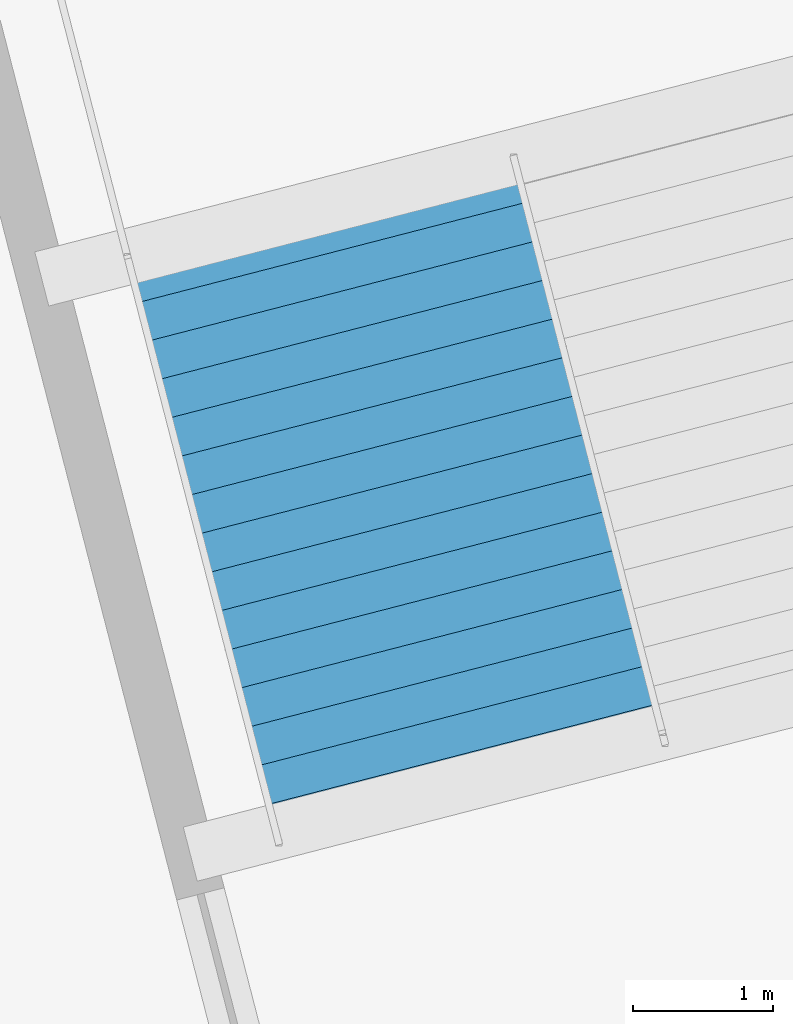
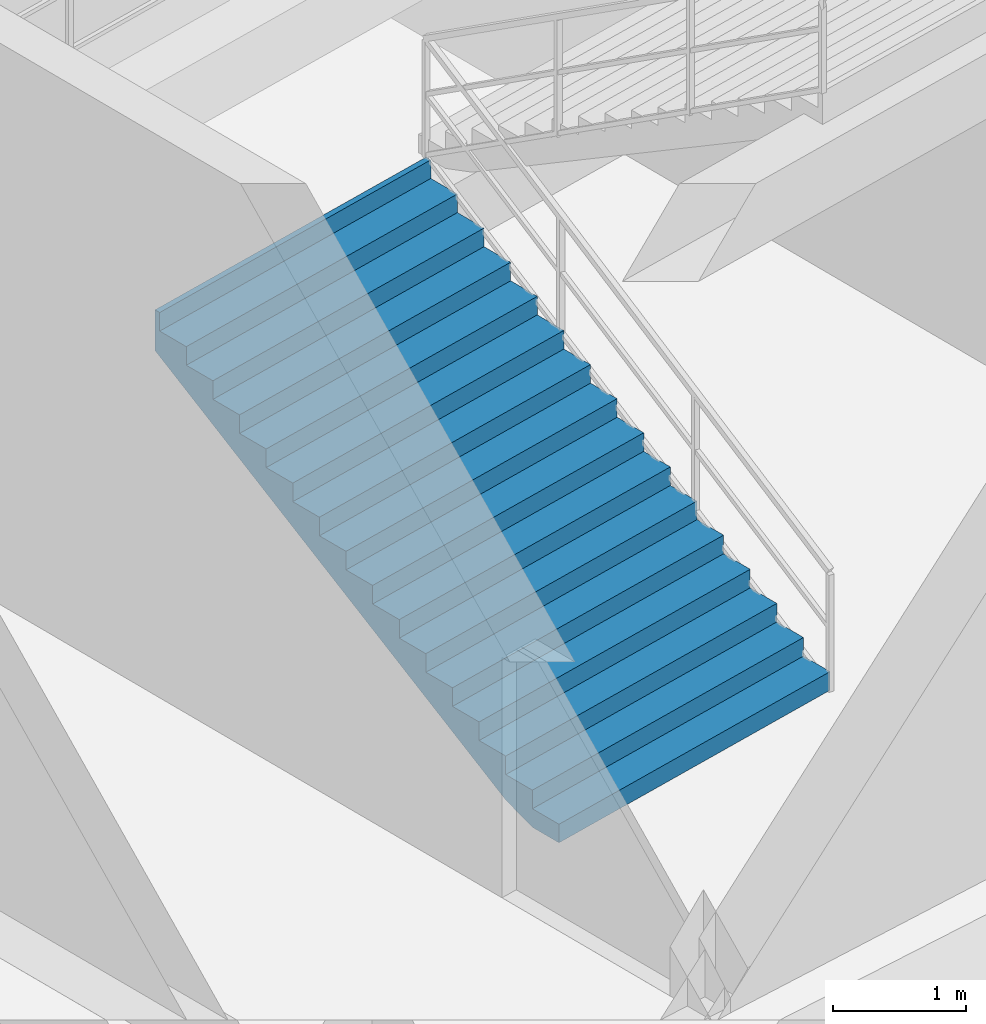
# One storey, part 31 of 49: 1 stair flight, 1 element without a shape of its own.
"""IFC4 building model written with IfcOpenShell, lengths in metres."""

import ifcopenshell
import ifcopenshell.guid

model = None  # the IFC model being written
_history = None  # IfcOwnerHistory: only IFC2X3 demands one
_inside = {}  # id of a spatial element -> (the spatial element, [elements in it])
_under = {}  # id of a project, library or spatial element -> (it, [spatial elements below it])
_declared = {}  # id of a project -> (the project, [libraries it declares])
_typed = {}  # id of a type object -> (the type object, [elements of that type])
_made_of = {}  # id of a material, layer set ... -> (it, [elements and type objects made of it])


def new_model(schema):
    """Start an empty IFC model of exactly this schema.

    Asked for "IFC4X3", IfcOpenShell would pick the latest addendum, in which some entities
    have other attributes; the version numbers below select the first issue.
    IFC2X3 requires an IfcOwnerHistory on every rooted entity: one is made here for all.
    """
    global model, _history
    if schema == "IFC4X3":
        model = ifcopenshell.file(schema_version=(4, 3, 0, 0))
    else:
        model = ifcopenshell.file(schema=schema)
    _inside.clear()
    _under.clear()
    _declared.clear()
    _typed.clear()
    _made_of.clear()
    _history = None
    if model.schema == "IFC2X3":
        org = make("IfcOrganization", Name="unknown")
        user = make(
            "IfcPersonAndOrganization",
            ThePerson=make("IfcPerson", FamilyName="unknown"),
            TheOrganization=org,
        )
        app = make(
            "IfcApplication",
            ApplicationDeveloper=org,
            Version="unknown",
            ApplicationFullName="unknown",
            ApplicationIdentifier="unknown",
        )
        _history = make(
            "IfcOwnerHistory",
            OwningUser=user,
            OwningApplication=app,
            ChangeAction="ADDED",
            CreationDate=0,
        )
    return model


def make(cls, **values):
    """One entity of the class cls with the attributes given. An attribute that is None is left unset."""
    return model.create_entity(
        cls, **{name: value for name, value in values.items() if value is not None}
    )


def rooted(cls, **values):
    """An entity with a GlobalId (a new one), such as an element, a storey or a relation."""
    return make(cls, GlobalId=ifcopenshell.guid.new(), OwnerHistory=_history, **values)


def si_unit(unit_type, name, prefix=None):
    """IfcSIUnit, for example si_unit("LENGTHUNIT", "METRE", prefix="MILLI")."""
    return make("IfcSIUnit", UnitType=unit_type, Prefix=prefix, Name=name)


def assignment(units):
    """IfcUnitAssignment: the units of a project."""
    return None if units is None else make("IfcUnitAssignment", Units=units)


def point(xyz):
    """IfcCartesianPoint."""
    return None if xyz is None else make("IfcCartesianPoint", Coordinates=xyz)


def direction(xyz):
    """IfcDirection."""
    return None if xyz is None else make("IfcDirection", DirectionRatios=xyz)


def frame(location, z_axis=None, x_axis=None):
    """IfcAxis2Placement3D, a coordinate frame: its origin and axes. An axis left out is left unset."""
    return make(
        "IfcAxis2Placement3D",
        Location=point(location),
        Axis=direction(z_axis),
        RefDirection=direction(x_axis),
    )


def origin():
    """The frame at (0, 0, 0) with its axes left unset."""
    return frame((0.0, 0.0, 0.0))


def place(relative_to, where):
    """IfcLocalPlacement: puts the frame where relative to a parent placement (None: the world)."""
    return make(
        "IfcLocalPlacement", PlacementRelTo=relative_to, RelativePlacement=where
    )


def context(
    kind, dimensions, precision=None, world=None, true_north=None, identifier=None
):
    """IfcGeometricRepresentationContext, for example the 3D "Model" context."""
    return make(
        "IfcGeometricRepresentationContext",
        ContextIdentifier=identifier,
        ContextType=kind,
        CoordinateSpaceDimension=dimensions,
        Precision=precision,
        WorldCoordinateSystem=world,
        TrueNorth=true_north,
    )


def subcontext(parent, identifier, kind, view, scale=None):
    """IfcGeometricRepresentationSubContext, for example "Body" below "Model"."""
    return make(
        "IfcGeometricRepresentationSubContext",
        ContextIdentifier=identifier,
        ContextType=kind,
        ParentContext=parent,
        TargetScale=scale,
        TargetView=view,
    )


def project(units=None, contexts=None):
    """IfcProject with its units and contexts."""
    return rooted(
        "IfcProject",
        Name="project",
        RepresentationContexts=contexts,
        UnitsInContext=assignment(units),
    )


def spatial(cls, under=None, at=None, **own):
    """A site, building, storey or space (cls), placed at a placement, below another one or the project."""
    s = rooted(cls, ObjectPlacement=at, **own)
    if under is not None:
        _under.setdefault(under.id(), (under, []))[1].append(s)
    return s


def point_list(points):
    """IfcCartesianPointList2D or 3D."""
    cls = (
        "IfcCartesianPointList2D" if len(points[0]) == 2 else "IfcCartesianPointList3D"
    )
    return make(cls, CoordList=points)


def polygons(points, faces, closed=None, point_numbers=None):
    """IfcPolygonalFaceSet: a face is its outer loop, then its inner loops; points numbered from 1."""
    made = []
    for loops in faces:
        if len(loops) == 1:
            made.append(make("IfcIndexedPolygonalFace", CoordIndex=loops[0]))
        else:
            made.append(
                make(
                    "IfcIndexedPolygonalFaceWithVoids",
                    CoordIndex=loops[0],
                    InnerCoordIndices=loops[1:],
                )
            )
    return make(
        "IfcPolygonalFaceSet",
        Coordinates=point_list(points),
        Closed=closed,
        Faces=made,
        PnIndex=point_numbers,
    )


def shape(context_of_items, identifier, shape_type, items):
    """IfcShapeRepresentation: the items that make up one representation, for example the "Body"."""
    return make(
        "IfcShapeRepresentation",
        ContextOfItems=context_of_items,
        RepresentationIdentifier=identifier,
        RepresentationType=shape_type,
        Items=items,
    )


def material(Name=None, Category=None):
    """IfcMaterial."""
    return make("IfcMaterial", Name=Name, Category=Category)


def made_of(thing, what):
    """Note that an element or type object is made of a material, layer set ...; save() writes the relation."""
    if what is not None:
        _made_of.setdefault(what.id(), (what, []))[1].append(thing)
    return thing


def type_object(cls, material=None, **own):
    """A type object (cls), such as IfcWallType, which elements share."""
    return made_of(rooted(cls, **own), material)


def element(
    cls,
    number,
    at=None,
    inside=None,
    cuts=None,
    type_object=None,
    material=None,
    context=None,
    identifier="Body",
    shape_type=None,
    held_by="IfcProductDefinitionShape",
    body=None,
    shapes=None,
    **own,
):
    """One element of the class cls, such as IfcWall. Its Tag is "e" and its number.

    at: its placement. inside: the storey or other place that contains it. cuts: it is an
    opening in that element (IfcRelVoidsElement). A single representation is given by context,
    identifier, shape_type and body (its items); several are given by shapes. held_by: the class
    of the entity that holds the representations. save() writes the other relations.
    """
    e = rooted(cls, Tag="e%d" % number, ObjectPlacement=at, **own)
    if body is not None:
        shapes = [shape(context, identifier, shape_type, body)]
    if shapes is not None:
        e.Representation = make(held_by, Representations=shapes)
    if inside is not None:
        _inside.setdefault(inside.id(), (inside, []))[1].append(e)
    if cuts is not None:
        rooted(
            "IfcRelVoidsElement", RelatingBuildingElement=cuts, RelatedOpeningElement=e
        )
    if type_object is not None:
        _typed.setdefault(type_object.id(), (type_object, []))[1].append(e)
    return made_of(e, material)


def aggregate(whole, parts):
    """IfcRelAggregates: a whole, such as a stair, and the parts it consists of."""
    return rooted("IfcRelAggregates", RelatingObject=whole, RelatedObjects=parts)


def save(model, path):
    """Write the relations noted so far, then the file.

    IfcRelAggregates (storeys below a building ...), IfcRelContainedInSpatialStructure (elements
    in a storey), IfcRelDefinesByType, IfcRelAssociatesMaterial and IfcRelDeclares: one each for
    every whole, place, type object, material and project.
    """
    for whole, parts in _under.values():
        aggregate(whole, parts)
    for where, things in _inside.values():
        rooted(
            "IfcRelContainedInSpatialStructure",
            RelatedElements=things,
            RelatingStructure=where,
        )
    for kind, things in _typed.values():
        rooted("IfcRelDefinesByType", RelatedObjects=things, RelatingType=kind)
    for what, things in _made_of.values():
        rooted("IfcRelAssociatesMaterial", RelatedObjects=things, RelatingMaterial=what)
    for by, libraries in _declared.values():
        rooted("IfcRelDeclares", RelatingContext=by, RelatedDefinitions=libraries)
    model.write(path)


model = new_model("IFC4")

# Units and contexts
model_context = context("Model", 3, precision=1e-05, world=origin(), true_north=direction((0.0, 1.0)))
body_context = subcontext(model_context, "Body", "Model", "MODEL_VIEW")
ifc_project = project(units=[si_unit("LENGTHUNIT", "METRE"), si_unit("AREAUNIT", "SQUARE_METRE"), si_unit("VOLUMEUNIT", "CUBIC_METRE"), si_unit("PLANEANGLEUNIT", "RADIAN"), si_unit("MASSUNIT", "GRAM", prefix="KILO")], contexts=[model_context])

# Site, building, storey
site_placement = place(None, origin())
site = spatial("IfcSite", under=ifc_project, at=site_placement, CompositionType="ELEMENT")
building_placement = place(site_placement, origin())
building = spatial("IfcBuilding", under=site, at=building_placement, Name="Kazemori Nagisa Stadium", CompositionType="ELEMENT")
storey_placement = place(building_placement, frame((0.0, 0.0, -5.43994140625)))
storey = spatial("IfcBuildingStorey", under=building, at=storey_placement, Name="B1", CompositionType="ELEMENT", Elevation=-5.43994140625)

# Stair, stair flight
ifc_material = material(Name="Concrete C36/45 (Fc36)", Category="concrete")
stair_type = type_object("IfcStairType", Name="Stair_CORE_32", PredefinedType="TWO_STRAIGHT_RUN_STAIR", material=ifc_material)
stair_placement = place(storey_placement, origin())
stair = element("IfcStair", 1, at=stair_placement, inside=storey, type_object=stair_type, Name="Exit stair ST07 B1", PredefinedType="TWO_STRAIGHT_RUN_STAIR")
stair_flight_type = type_object("IfcStairFlightType", Name="Flight_CORE_16", PredefinedType="STRAIGHT", material=ifc_material)
stair_flight_placement = place(storey_placement, frame((207.933349609375, 122.920166015625, 0.0), z_axis=(0.0, 0.0, 1.0), x_axis=(-0.249973016397, 0.968252803287, 0.0)))
stair_flight = element("IfcStairFlight", 2, at=stair_flight_placement, type_object=stair_flight_type, Name="Exit stair ST07 B1 flight 1", NumberOfRisers=16, NumberOfTreads=15, PredefinedType="STRAIGHT", RiserHeight=0.17, TreadLength=0.285, context=body_context, shape_type="Tessellation", body=[
    polygons([(0.0, -1.425048828125, 0.0), (0.0, -1.425048828125, 0.169921875), (0.284912109375, -1.425048828125, 0.169921875), (0.284912109375, -1.425048828125, 0.340087890625), (0.570068359375, -1.425048828125, 0.340087890625), (0.570068359375, -1.425048828125, 0.510009765625), (0.85498046875, -1.425048828125, 0.510009765625), (0.85498046875, -1.425048828125, 0.679931640625), (1.139892578125, -1.425048828125, 0.679931640625), (1.139892578125, -1.425048828125, 0.85009765625), (1.425048828125, -1.425048828125, 0.85009765625), (1.425048828125, -1.425048828125, 1.02001953125), (1.7099609375, -1.425048828125, 1.02001953125), (1.7099609375, -1.425048828125, 1.18994140625), (1.9951171875, -1.425048828125, 1.18994140625), (1.9951171875, -1.425048828125, 1.360107421875), (2.280029296875, -1.425048828125, 1.360107421875), (2.280029296875, -1.425048828125, 1.530029296875), (2.56494140625, -1.425048828125, 1.530029296875), (2.56494140625, -1.425048828125, 1.699951171875), (2.85009765625, -1.425048828125, 1.699951171875), (2.85009765625, -1.425048828125, 1.8701171875), (3.135009765625, -1.425048828125, 1.8701171875), (3.135009765625, -1.425048828125, 2.0400390625), (3.419921875, -1.425048828125, 2.0400390625), (3.419921875, -1.425048828125, 2.2099609375), (3.705078125, -1.425048828125, 2.2099609375), (3.705078125, -1.425048828125, 2.3798828125), (3.989990234375, -1.425048828125, 2.3798828125), (3.989990234375, -1.425048828125, 2.550048828125), (4.27490234375, -1.425048828125, 2.550048828125), (4.27490234375, -1.425048828125, 2.719970703125), (4.324951171875, -1.425048828125, 2.719970703125), (4.324951171875, -1.425048828125, 2.346923828125), (4.27490234375, -1.425048828125, 2.317138671875), (3.989990234375, -1.425048828125, 2.147216796875), (3.705078125, -1.425048828125, 1.977294921875), (3.419921875, -1.425048828125, 1.80712890625), (3.135009765625, -1.425048828125, 1.63720703125), (2.85009765625, -1.425048828125, 1.46728515625), (2.56494140625, -1.425048828125, 1.297119140625), (2.280029296875, -1.425048828125, 1.127197265625), (1.9951171875, -1.425048828125, 0.957275390625), (1.7099609375, -1.425048828125, 0.787109375), (1.425048828125, -1.425048828125, 0.6171875), (1.139892578125, -1.425048828125, 0.447265625), (0.85498046875, -1.425048828125, 0.277099609375), (0.570068359375, -1.425048828125, 0.107177734375), (0.284912109375, -1.425048828125, 0.0), (0.0, -0.08544921875, 0.0), (0.0, -0.08544921875, 0.169921875), (0.284912109375, -0.08544921875, 0.169921875), (0.284912109375, -0.08544921875, 0.340087890625), (0.570068359375, -0.08544921875, 0.340087890625), (0.570068359375, -0.08544921875, 0.510009765625), (0.85498046875, -0.08544921875, 0.510009765625), (0.85498046875, -0.08544921875, 0.679931640625), (1.139892578125, -0.08544921875, 0.679931640625), (1.139892578125, -0.08544921875, 0.85009765625), (1.425048828125, -0.08544921875, 0.85009765625), (1.425048828125, -0.08544921875, 1.02001953125), (1.7099609375, -0.08544921875, 1.02001953125), (1.7099609375, -0.08544921875, 1.18994140625), (1.9951171875, -0.08544921875, 1.18994140625), (1.9951171875, -0.08544921875, 1.360107421875), (2.280029296875, -0.08544921875, 1.360107421875), (2.280029296875, -0.08544921875, 1.530029296875), (2.56494140625, -0.08544921875, 1.530029296875), (2.56494140625, -0.08544921875, 1.699951171875), (2.85009765625, -0.08544921875, 1.699951171875), (2.85009765625, -0.08544921875, 1.8701171875), (3.135009765625, -0.08544921875, 1.8701171875), (3.135009765625, -0.08544921875, 2.0400390625), (3.419921875, -0.08544921875, 2.0400390625), (3.419921875, -0.08544921875, 2.2099609375), (3.705078125, -0.08544921875, 2.2099609375), (3.705078125, -0.08544921875, 2.3798828125), (3.989990234375, -0.08544921875, 2.3798828125), (3.989990234375, -0.08544921875, 2.550048828125), (4.27490234375, -0.08544921875, 2.550048828125), (4.27490234375, -0.08544921875, 2.719970703125), (4.324951171875, -0.08544921875, 2.719970703125), (4.324951171875, -0.08544921875, 2.346923828125), (4.27490234375, -0.08544921875, 2.317138671875), (3.989990234375, -0.08544921875, 2.147216796875), (3.705078125, -0.08544921875, 1.977294921875), (3.419921875, -0.08544921875, 1.80712890625), (3.135009765625, -0.08544921875, 1.63720703125), (2.85009765625, -0.08544921875, 1.46728515625), (2.56494140625, -0.08544921875, 1.297119140625), (2.280029296875, -0.08544921875, 1.127197265625), (1.9951171875, -0.08544921875, 0.957275390625), (1.7099609375, -0.08544921875, 0.787109375), (1.425048828125, -0.08544921875, 0.6171875), (1.139892578125, -0.08544921875, 0.447265625), (0.85498046875, -0.08544921875, 0.277099609375), (0.570068359375, -0.08544921875, 0.107177734375), (0.284912109375, -0.08544921875, 0.0), (0.0, 0.0, 0.0), (0.0, 0.0, 0.169921875), (0.284912109375, 0.0, 0.169921875), (0.284912109375, 0.0, 0.340087890625), (0.570068359375, 0.0, 0.340087890625), (0.570068359375, 0.0, 0.510009765625), (0.85498046875, 0.0, 0.510009765625), (0.85498046875, 0.0, 0.679931640625), (1.139892578125, 0.0, 0.679931640625), (1.139892578125, 0.0, 0.85009765625), (1.425048828125, 0.0, 0.85009765625), (1.425048828125, 0.0, 1.02001953125), (1.7099609375, 0.0, 1.02001953125), (1.7099609375, 0.0, 1.18994140625), (1.9951171875, 0.0, 1.18994140625), (1.9951171875, 0.0, 1.360107421875), (2.280029296875, 0.0, 1.360107421875), (2.280029296875, 0.0, 1.530029296875), (2.56494140625, 0.0, 1.530029296875), (2.56494140625, 0.0, 1.699951171875), (2.85009765625, 0.0, 1.699951171875), (2.85009765625, 0.0, 1.8701171875), (3.135009765625, 0.0, 1.8701171875), (3.135009765625, 0.0, 2.0400390625), (3.419921875, 0.0, 2.0400390625), (3.419921875, 0.0, 2.2099609375), (3.705078125, 0.0, 2.2099609375), (3.705078125, 0.0, 2.3798828125), (3.989990234375, 0.0, 2.3798828125), (3.989990234375, 0.0, 2.550048828125), (4.27490234375, 0.0, 2.550048828125), (4.27490234375, 0.0, 2.719970703125), (4.324951171875, 0.0, 2.719970703125), (4.324951171875, 0.0, 2.346923828125), (4.27490234375, 0.0, 2.317138671875), (3.989990234375, 0.0, 2.147216796875), (3.705078125, 0.0, 1.977294921875), (3.419921875, 0.0, 1.80712890625), (3.135009765625, 0.0, 1.63720703125), (2.85009765625, 0.0, 1.46728515625), (2.56494140625, 0.0, 1.297119140625), (2.280029296875, 0.0, 1.127197265625), (1.9951171875, 0.0, 0.957275390625), (1.7099609375, 0.0, 0.787109375), (1.425048828125, 0.0, 0.6171875), (1.139892578125, 0.0, 0.447265625), (0.85498046875, 0.0, 0.277099609375), (0.570068359375, 0.0, 0.107177734375), (0.284912109375, 0.0, 0.0), (0.0, 0.08544921875, 0.0), (0.0, 0.08544921875, 0.169921875), (0.284912109375, 0.08544921875, 0.169921875), (0.284912109375, 0.08544921875, 0.340087890625), (0.570068359375, 0.08544921875, 0.340087890625), (0.570068359375, 0.08544921875, 0.510009765625), (0.85498046875, 0.08544921875, 0.510009765625), (0.85498046875, 0.08544921875, 0.679931640625), (1.139892578125, 0.08544921875, 0.679931640625), (1.139892578125, 0.08544921875, 0.85009765625), (1.425048828125, 0.08544921875, 0.85009765625), (1.425048828125, 0.08544921875, 1.02001953125), (1.7099609375, 0.08544921875, 1.02001953125), (1.7099609375, 0.08544921875, 1.18994140625), (1.9951171875, 0.08544921875, 1.18994140625), (1.9951171875, 0.08544921875, 1.360107421875), (2.280029296875, 0.08544921875, 1.360107421875), (2.280029296875, 0.08544921875, 1.530029296875), (2.56494140625, 0.08544921875, 1.530029296875), (2.56494140625, 0.08544921875, 1.699951171875), (2.85009765625, 0.08544921875, 1.699951171875), (2.85009765625, 0.08544921875, 1.8701171875), (3.135009765625, 0.08544921875, 1.8701171875), (3.135009765625, 0.08544921875, 2.0400390625), (3.419921875, 0.08544921875, 2.0400390625), (3.419921875, 0.08544921875, 2.2099609375), (3.705078125, 0.08544921875, 2.2099609375), (3.705078125, 0.08544921875, 2.3798828125), (3.989990234375, 0.08544921875, 2.3798828125), (3.989990234375, 0.08544921875, 2.550048828125), (4.27490234375, 0.08544921875, 2.550048828125), (4.27490234375, 0.08544921875, 2.719970703125), (4.324951171875, 0.08544921875, 2.719970703125), (4.324951171875, 0.08544921875, 2.346923828125), (4.27490234375, 0.08544921875, 2.317138671875), (3.989990234375, 0.08544921875, 2.147216796875), (3.705078125, 0.08544921875, 1.977294921875), (3.419921875, 0.08544921875, 1.80712890625), (3.135009765625, 0.08544921875, 1.63720703125), (2.85009765625, 0.08544921875, 1.46728515625), (2.56494140625, 0.08544921875, 1.297119140625), (2.280029296875, 0.08544921875, 1.127197265625), (1.9951171875, 0.08544921875, 0.957275390625), (1.7099609375, 0.08544921875, 0.787109375), (1.425048828125, 0.08544921875, 0.6171875), (1.139892578125, 0.08544921875, 0.447265625), (0.85498046875, 0.08544921875, 0.277099609375), (0.570068359375, 0.08544921875, 0.107177734375), (0.284912109375, 0.08544921875, 0.0), (0.0, 1.425048828125, 0.0), (0.0, 1.425048828125, 0.169921875), (0.284912109375, 1.425048828125, 0.169921875), (0.284912109375, 1.425048828125, 0.340087890625), (0.570068359375, 1.425048828125, 0.340087890625), (0.570068359375, 1.425048828125, 0.510009765625), (0.85498046875, 1.425048828125, 0.510009765625), (0.85498046875, 1.425048828125, 0.679931640625), (1.139892578125, 1.425048828125, 0.679931640625), (1.139892578125, 1.425048828125, 0.85009765625), (1.425048828125, 1.425048828125, 0.85009765625), (1.425048828125, 1.425048828125, 1.02001953125), (1.7099609375, 1.425048828125, 1.02001953125), (1.7099609375, 1.425048828125, 1.18994140625), (1.9951171875, 1.425048828125, 1.18994140625), (1.9951171875, 1.425048828125, 1.360107421875), (2.280029296875, 1.425048828125, 1.360107421875), (2.280029296875, 1.425048828125, 1.530029296875), (2.56494140625, 1.425048828125, 1.530029296875), (2.56494140625, 1.425048828125, 1.699951171875), (2.85009765625, 1.425048828125, 1.699951171875), (2.85009765625, 1.425048828125, 1.8701171875), (3.135009765625, 1.425048828125, 1.8701171875), (3.135009765625, 1.425048828125, 2.0400390625), (3.419921875, 1.425048828125, 2.0400390625), (3.419921875, 1.425048828125, 2.2099609375), (3.705078125, 1.425048828125, 2.2099609375), (3.705078125, 1.425048828125, 2.3798828125), (3.989990234375, 1.425048828125, 2.3798828125), (3.989990234375, 1.425048828125, 2.550048828125), (4.27490234375, 1.425048828125, 2.550048828125), (4.27490234375, 1.425048828125, 2.719970703125), (4.324951171875, 1.425048828125, 2.719970703125), (4.324951171875, 1.425048828125, 2.346923828125), (4.27490234375, 1.425048828125, 2.317138671875), (3.989990234375, 1.425048828125, 2.147216796875), (3.705078125, 1.425048828125, 1.977294921875), (3.419921875, 1.425048828125, 1.80712890625), (3.135009765625, 1.425048828125, 1.63720703125), (2.85009765625, 1.425048828125, 1.46728515625), (2.56494140625, 1.425048828125, 1.297119140625), (2.280029296875, 1.425048828125, 1.127197265625), (1.9951171875, 1.425048828125, 0.957275390625), (1.7099609375, 1.425048828125, 0.787109375), (1.425048828125, 1.425048828125, 0.6171875), (1.139892578125, 1.425048828125, 0.447265625), (0.85498046875, 1.425048828125, 0.277099609375), (0.570068359375, 1.425048828125, 0.107177734375), (0.284912109375, 1.425048828125, 0.0)], [[[1, 2, 51]], [[1, 51, 50]], [[2, 3, 52]], [[2, 52, 51]], [[3, 4, 53]], [[3, 53, 52]], [[4, 5, 54]], [[4, 54, 53]], [[5, 6, 55]], [[5, 55, 54]], [[6, 7, 56]], [[6, 56, 55]], [[7, 8, 57]], [[7, 57, 56]], [[8, 9, 58]], [[8, 58, 57]], [[9, 10, 59]], [[9, 59, 58]], [[10, 11, 60]], [[10, 60, 59]], [[11, 12, 61]], [[11, 61, 60]], [[12, 13, 62]], [[12, 62, 61]], [[13, 14, 63]], [[13, 63, 62]], [[14, 15, 64]], [[14, 64, 63]], [[15, 16, 65]], [[15, 65, 64]], [[16, 17, 66]], [[16, 66, 65]], [[17, 18, 67]], [[17, 67, 66]], [[18, 19, 68]], [[18, 68, 67]], [[19, 20, 69]], [[19, 69, 68]], [[20, 21, 70]], [[20, 70, 69]], [[21, 22, 71]], [[21, 71, 70]], [[22, 23, 72]], [[22, 72, 71]], [[23, 24, 73]], [[23, 73, 72]], [[24, 25, 74]], [[24, 74, 73]], [[25, 26, 75]], [[25, 75, 74]], [[26, 27, 76]], [[26, 76, 75]], [[27, 28, 77]], [[27, 77, 76]], [[28, 29, 78]], [[28, 78, 77]], [[29, 30, 79]], [[29, 79, 78]], [[30, 31, 80]], [[30, 80, 79]], [[31, 32, 81]], [[31, 81, 80]], [[32, 33, 82]], [[32, 82, 81]], [[33, 34, 83]], [[33, 83, 82]], [[34, 35, 84]], [[34, 84, 83]], [[35, 36, 85]], [[35, 85, 84]], [[36, 37, 86]], [[36, 86, 85]], [[37, 38, 87]], [[37, 87, 86]], [[38, 39, 88]], [[38, 88, 87]], [[39, 40, 89]], [[39, 89, 88]], [[40, 41, 90]], [[40, 90, 89]], [[41, 42, 91]], [[41, 91, 90]], [[42, 43, 92]], [[42, 92, 91]], [[43, 44, 93]], [[43, 93, 92]], [[44, 45, 94]], [[44, 94, 93]], [[45, 46, 95]], [[45, 95, 94]], [[46, 47, 96]], [[46, 96, 95]], [[47, 48, 97]], [[47, 97, 96]], [[48, 49, 98]], [[48, 98, 97]], [[49, 1, 50]], [[49, 50, 98]], [[50, 51, 100]], [[50, 100, 99]], [[51, 52, 101]], [[51, 101, 100]], [[52, 53, 102]], [[52, 102, 101]], [[53, 54, 103]], [[53, 103, 102]], [[54, 55, 104]], [[54, 104, 103]], [[55, 56, 105]], [[55, 105, 104]], [[56, 57, 106]], [[56, 106, 105]], [[57, 58, 107]], [[57, 107, 106]], [[58, 59, 108]], [[58, 108, 107]], [[59, 60, 109]], [[59, 109, 108]], [[60, 61, 110]], [[60, 110, 109]], [[61, 62, 111]], [[61, 111, 110]], [[62, 63, 112]], [[62, 112, 111]], [[63, 64, 113]], [[63, 113, 112]], [[64, 65, 114]], [[64, 114, 113]], [[65, 66, 115]], [[65, 115, 114]], [[66, 67, 116]], [[66, 116, 115]], [[67, 68, 117]], [[67, 117, 116]], [[68, 69, 118]], [[68, 118, 117]], [[69, 70, 119]], [[69, 119, 118]], [[70, 71, 120]], [[70, 120, 119]], [[71, 72, 121]], [[71, 121, 120]], [[72, 73, 122]], [[72, 122, 121]], [[73, 74, 123]], [[73, 123, 122]], [[74, 75, 124]], [[74, 124, 123]], [[75, 76, 125]], [[75, 125, 124]], [[76, 77, 126]], [[76, 126, 125]], [[77, 78, 127]], [[77, 127, 126]], [[78, 79, 128]], [[78, 128, 127]], [[79, 80, 129]], [[79, 129, 128]], [[80, 81, 130]], [[80, 130, 129]], [[81, 82, 131]], [[81, 131, 130]], [[82, 83, 132]], [[82, 132, 131]], [[83, 84, 133]], [[83, 133, 132]], [[84, 85, 134]], [[84, 134, 133]], [[85, 86, 135]], [[85, 135, 134]], [[86, 87, 136]], [[86, 136, 135]], [[87, 88, 137]], [[87, 137, 136]], [[88, 89, 138]], [[88, 138, 137]], [[89, 90, 139]], [[89, 139, 138]], [[90, 91, 140]], [[90, 140, 139]], [[91, 92, 141]], [[91, 141, 140]], [[92, 93, 142]], [[92, 142, 141]], [[93, 94, 143]], [[93, 143, 142]], [[94, 95, 144]], [[94, 144, 143]], [[95, 96, 145]], [[95, 145, 144]], [[96, 97, 146]], [[96, 146, 145]], [[97, 98, 147]], [[97, 147, 146]], [[98, 50, 99]], [[98, 99, 147]], [[99, 100, 149]], [[99, 149, 148]], [[100, 101, 150]], [[100, 150, 149]], [[101, 102, 151]], [[101, 151, 150]], [[102, 103, 152]], [[102, 152, 151]], [[103, 104, 153]], [[103, 153, 152]], [[104, 105, 154]], [[104, 154, 153]], [[105, 106, 155]], [[105, 155, 154]], [[106, 107, 156]], [[106, 156, 155]], [[107, 108, 157]], [[107, 157, 156]], [[108, 109, 158]], [[108, 158, 157]], [[109, 110, 159]], [[109, 159, 158]], [[110, 111, 160]], [[110, 160, 159]], [[111, 112, 161]], [[111, 161, 160]], [[112, 113, 162]], [[112, 162, 161]], [[113, 114, 163]], [[113, 163, 162]], [[114, 115, 164]], [[114, 164, 163]], [[115, 116, 165]], [[115, 165, 164]], [[116, 117, 166]], [[116, 166, 165]], [[117, 118, 167]], [[117, 167, 166]], [[118, 119, 168]], [[118, 168, 167]], [[119, 120, 169]], [[119, 169, 168]], [[120, 121, 170]], [[120, 170, 169]], [[121, 122, 171]], [[121, 171, 170]], [[122, 123, 172]], [[122, 172, 171]], [[123, 124, 173]], [[123, 173, 172]], [[124, 125, 174]], [[124, 174, 173]], [[125, 126, 175]], [[125, 175, 174]], [[126, 127, 176]], [[126, 176, 175]], [[127, 128, 177]], [[127, 177, 176]], [[128, 129, 178]], [[128, 178, 177]], [[129, 130, 179]], [[129, 179, 178]], [[130, 131, 180]], [[130, 180, 179]], [[131, 132, 181]], [[131, 181, 180]], [[132, 133, 182]], [[132, 182, 181]], [[133, 134, 183]], [[133, 183, 182]], [[134, 135, 184]], [[134, 184, 183]], [[135, 136, 185]], [[135, 185, 184]], [[136, 137, 186]], [[136, 186, 185]], [[137, 138, 187]], [[137, 187, 186]], [[138, 139, 188]], [[138, 188, 187]], [[139, 140, 189]], [[139, 189, 188]], [[140, 141, 190]], [[140, 190, 189]], [[141, 142, 191]], [[141, 191, 190]], [[142, 143, 192]], [[142, 192, 191]], [[143, 144, 193]], [[143, 193, 192]], [[144, 145, 194]], [[144, 194, 193]], [[145, 146, 195]], [[145, 195, 194]], [[146, 147, 196]], [[146, 196, 195]], [[147, 99, 148]], [[147, 148, 196]], [[148, 149, 198]], [[148, 198, 197]], [[149, 150, 199]], [[149, 199, 198]], [[150, 151, 200]], [[150, 200, 199]], [[151, 152, 201]], [[151, 201, 200]], [[152, 153, 202]], [[152, 202, 201]], [[153, 154, 203]], [[153, 203, 202]], [[154, 155, 204]], [[154, 204, 203]], [[155, 156, 205]], [[155, 205, 204]], [[156, 157, 206]], [[156, 206, 205]], [[157, 158, 207]], [[157, 207, 206]], [[158, 159, 208]], [[158, 208, 207]], [[159, 160, 209]], [[159, 209, 208]], [[160, 161, 210]], [[160, 210, 209]], [[161, 162, 211]], [[161, 211, 210]], [[162, 163, 212]], [[162, 212, 211]], [[163, 164, 213]], [[163, 213, 212]], [[164, 165, 214]], [[164, 214, 213]], [[165, 166, 215]], [[165, 215, 214]], [[166, 167, 216]], [[166, 216, 215]], [[167, 168, 217]], [[167, 217, 216]], [[168, 169, 218]], [[168, 218, 217]], [[169, 170, 219]], [[169, 219, 218]], [[170, 171, 220]], [[170, 220, 219]], [[171, 172, 221]], [[171, 221, 220]], [[172, 173, 222]], [[172, 222, 221]], [[173, 174, 223]], [[173, 223, 222]], [[174, 175, 224]], [[174, 224, 223]], [[175, 176, 225]], [[175, 225, 224]], [[176, 177, 226]], [[176, 226, 225]], [[177, 178, 227]], [[177, 227, 226]], [[178, 179, 228]], [[178, 228, 227]], [[179, 180, 229]], [[179, 229, 228]], [[180, 181, 230]], [[180, 230, 229]], [[181, 182, 231]], [[181, 231, 230]], [[182, 183, 232]], [[182, 232, 231]], [[183, 184, 233]], [[183, 233, 232]], [[184, 185, 234]], [[184, 234, 233]], [[185, 186, 235]], [[185, 235, 234]], [[186, 187, 236]], [[186, 236, 235]], [[187, 188, 237]], [[187, 237, 236]], [[188, 189, 238]], [[188, 238, 237]], [[189, 190, 239]], [[189, 239, 238]], [[190, 191, 240]], [[190, 240, 239]], [[191, 192, 241]], [[191, 241, 240]], [[192, 193, 242]], [[192, 242, 241]], [[193, 194, 243]], [[193, 243, 242]], [[194, 195, 244]], [[194, 244, 243]], [[195, 196, 245]], [[195, 245, 244]], [[196, 148, 197]], [[196, 197, 245]], [[3, 2, 1]], [[197, 198, 199]], [[49, 3, 1]], [[197, 199, 245]], [[48, 3, 49]], [[245, 199, 244]], [[5, 3, 48]], [[244, 199, 201]], [[5, 4, 3]], [[199, 200, 201]], [[47, 5, 48]], [[244, 201, 243]], [[7, 5, 47]], [[243, 201, 203]], [[7, 6, 5]], [[201, 202, 203]], [[46, 7, 47]], [[243, 203, 242]], [[9, 7, 46]], [[242, 203, 205]], [[9, 8, 7]], [[203, 204, 205]], [[45, 9, 46]], [[242, 205, 241]], [[11, 9, 45]], [[241, 205, 207]], [[11, 10, 9]], [[205, 206, 207]], [[44, 11, 45]], [[241, 207, 240]], [[13, 11, 44]], [[240, 207, 209]], [[13, 12, 11]], [[207, 208, 209]], [[43, 13, 44]], [[240, 209, 239]], [[15, 13, 43]], [[239, 209, 211]], [[15, 14, 13]], [[209, 210, 211]], [[42, 15, 43]], [[239, 211, 238]], [[17, 15, 42]], [[238, 211, 213]], [[17, 16, 15]], [[211, 212, 213]], [[41, 17, 42]], [[238, 213, 237]], [[19, 17, 41]], [[237, 213, 215]], [[19, 18, 17]], [[213, 214, 215]], [[40, 19, 41]], [[237, 215, 236]], [[21, 19, 40]], [[236, 215, 217]], [[21, 20, 19]], [[215, 216, 217]], [[39, 21, 40]], [[236, 217, 235]], [[23, 21, 39]], [[235, 217, 219]], [[23, 22, 21]], [[217, 218, 219]], [[38, 23, 39]], [[235, 219, 234]], [[25, 23, 38]], [[234, 219, 221]], [[25, 24, 23]], [[219, 220, 221]], [[37, 25, 38]], [[234, 221, 233]], [[27, 25, 37]], [[233, 221, 223]], [[27, 26, 25]], [[221, 222, 223]], [[36, 27, 37]], [[233, 223, 232]], [[29, 27, 36]], [[232, 223, 225]], [[29, 28, 27]], [[223, 224, 225]], [[35, 29, 36]], [[232, 225, 231]], [[31, 29, 35]], [[231, 225, 227]], [[31, 30, 29]], [[225, 226, 227]], [[34, 31, 35]], [[231, 227, 230]], [[33, 31, 34]], [[230, 227, 229]], [[33, 32, 31]], [[227, 228, 229]]], closed=True),
])
aggregate(stair, [stair_flight])

save(model, "model.ifc")
